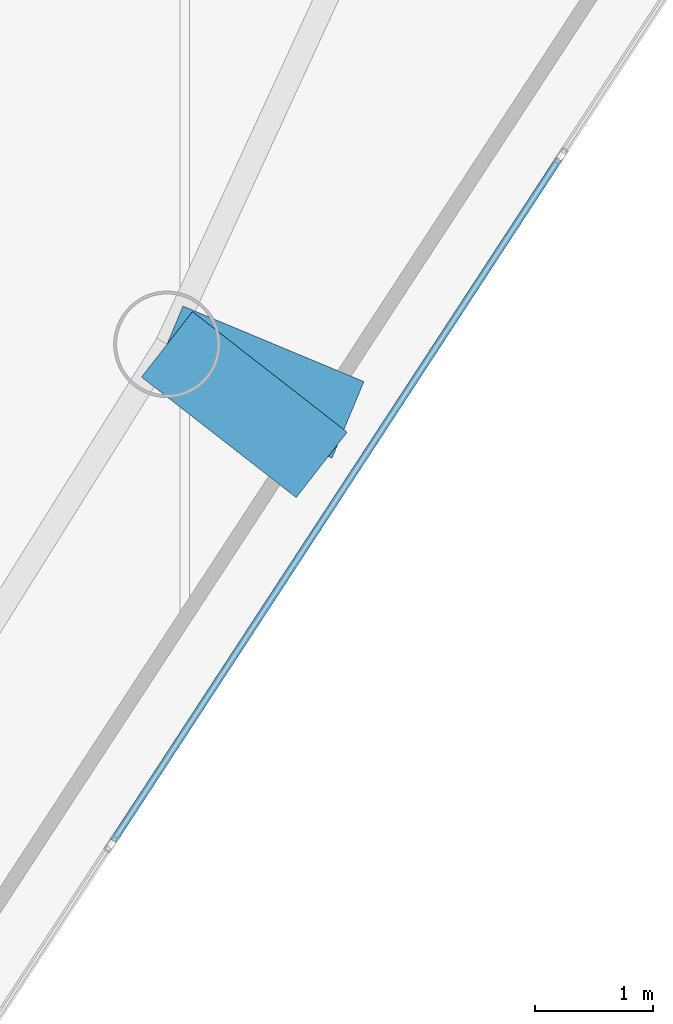
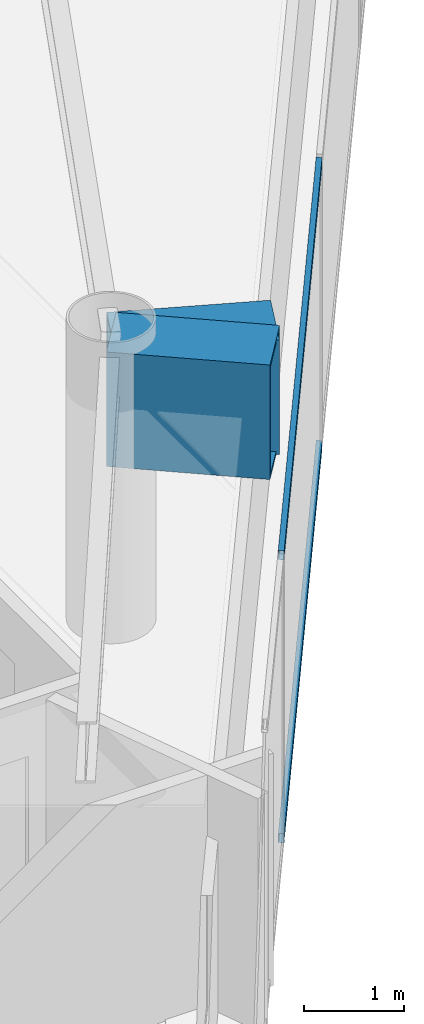
# One storey, part 7 of 25: 2 beams, 2 members, 1 element without a shape of its own.
"""IFC4 building model written with IfcOpenShell, lengths in metres."""

from ifc_helpers import new_model, si_unit, direction, frame, origin, origin_2d, place, context, subcontext, project, spatial, hollow_rectangle, extrude, material, layer, layer_set, material_profile, profile_set, type_object, element, aggregate, save


model = new_model("IFC4")

# Units and contexts
model_context = context("Model", 3, precision=1e-05, world=origin(), true_north=direction((0.0, 1.0)))
body_context = subcontext(model_context, "Body", "Model", "MODEL_VIEW")
ifc_project = project(units=[si_unit("LENGTHUNIT", "METRE"), si_unit("AREAUNIT", "SQUARE_METRE"), si_unit("VOLUMEUNIT", "CUBIC_METRE"), si_unit("PLANEANGLEUNIT", "RADIAN"), si_unit("MASSUNIT", "GRAM", prefix="KILO")], contexts=[model_context])

# Site, building, storey
site_placement = place(None, origin())
site = spatial("IfcSite", under=ifc_project, at=site_placement, CompositionType="ELEMENT")
building_placement = place(site_placement, origin())
building = spatial("IfcBuilding", under=site, at=building_placement, Name="Qianvela Tower", CompositionType="ELEMENT")
storey_placement = place(building_placement, frame((0.0, 0.0, 295.39990234375)))
storey = spatial("IfcBuildingStorey", under=building, at=storey_placement, Name="L76", CompositionType="ELEMENT", Elevation=295.39990234375)

# Beams
ifc_material_1 = material(Name="Steel Q420GJC", Category="steel")
ifc_material_profile_1 = material_profile(ifc_material_1, hollow_rectangle(XDim=0.699951171875, YDim=1.39990234375, WallThickness=0.0400390625, at=origin_2d()), Name="TG-BOX-1400x700x40")
ifc_profile_set_1 = profile_set([ifc_material_profile_1], Name="Steel Q420GJC")
beam_type = type_object("IfcBeamType", Name="BM-TG-STEP-1400", PredefinedType="BEAM", material=ifc_profile_set_1)
for number, where, z_axis, x_axis, name in (
    (1, (45.833984375, 22.344970703125, 2.815185546875), (0.788875502797, -0.614553041719, 0.0), (0.614553041719, 0.788875502797, 0.0), "L76 Mega-Brace Zone Base Bracket F3-1"),
    (2, (45.833984375, 22.344970703125, 2.815185546875), (0.922893566334, -0.385055145685, 0.0), (0.385055145685, 0.922893566334, 0.0), "L76 Mega-Brace Zone Base Bracket F3-2"),
):
    element("IfcBeam", number, at=place(storey_placement, frame(where, z_axis=z_axis, x_axis=x_axis)), inside=storey, type_object=beam_type, Name=name, PredefinedType="BEAM", context=body_context, shape_type="SweptSolid", body=[
        extrude(hollow_rectangle(XDim=0.699951171875, YDim=1.39990234375, WallThickness=0.0400390625, at=origin_2d()), origin(), (0.0, 0.0, 1.0), 1.655517578125),
    ])

# Curtain wall, members
ifc_material_2 = material(Name="Anodised Architectural Aluminium and Low-E Glass", Category="aluminium")
ifc_layer = layer(ifc_material_2, 0.14990234375)
ifc_layer_set = layer_set([ifc_layer], Name="Anodised Architectural Aluminium and Low-E Glass")
curtain_wall_type = type_object("IfcCurtainWallType", Name="CW-COLIV-Z78", PredefinedType="USERDEFINED", material=ifc_layer_set)
curtain_wall_placement = place(storey_placement, origin())
curtain_wall = element("IfcCurtainWall", 3, at=curtain_wall_placement, inside=storey, type_object=curtain_wall_type, Name="L76 CW-COLIV-Z78 Curtain Wall 06C", ObjectType="CURTAIN_WALL_SYSTEM", PredefinedType="USERDEFINED")
ifc_material_3 = material(Name="Anodised Architectural Aluminium 6063-T6", Category="aluminium")
ifc_material_profile_2 = material_profile(ifc_material_3, hollow_rectangle(XDim=0.06005859375, YDim=0.114990234375, WallThickness=0.00390625, at=origin_2d()), Name="ALU-TRAN-60x115")
ifc_profile_set_2 = profile_set([ifc_material_profile_2], Name="Anodised Architectural Aluminium 6063-T6")
member_type = type_object("IfcMemberType", Name="CW-COLIV-Z78-TRAN", PredefinedType="USERDEFINED", material=ifc_profile_set_2)
member_1_placement = place(storey_placement, frame((45.380859375, 18.153564453125, 0.030029296875), z_axis=(0.547097232796, 0.837069063977, 0.0), x_axis=(-0.837069063977, 0.547097232796, 0.0)))
member_1 = element("IfcMember", 4, at=member_1_placement, type_object=member_type, Name="CW-6 transom 2.1", ObjectType="TRANSOM", PredefinedType="USERDEFINED", context=body_context, shape_type="SweptSolid", body=[
    extrude(hollow_rectangle(XDim=0.06005859375, YDim=0.114990234375, WallThickness=0.00390625, at=origin_2d()), origin(), (0.0, 0.0, 1.0), 6.875244140625),
])
member_2_placement = place(storey_placement, frame((45.380859375, 18.153564453125, 3.489990234375), z_axis=(0.547097232796, 0.837069063977, 0.0), x_axis=(-0.837069063977, 0.547097232796, 0.0)))
member_2 = element("IfcMember", 5, at=member_2_placement, type_object=member_type, Name="CW-6 transom 2.2", ObjectType="TRANSOM", PredefinedType="USERDEFINED", context=body_context, shape_type="SweptSolid", body=[
    extrude(hollow_rectangle(XDim=0.06005859375, YDim=0.114990234375, WallThickness=0.00390625, at=origin_2d()), origin(), (0.0, 0.0, 1.0), 6.875244140625),
])
aggregate(curtain_wall, [member_1, member_2])

save(model, "model.ifc")
